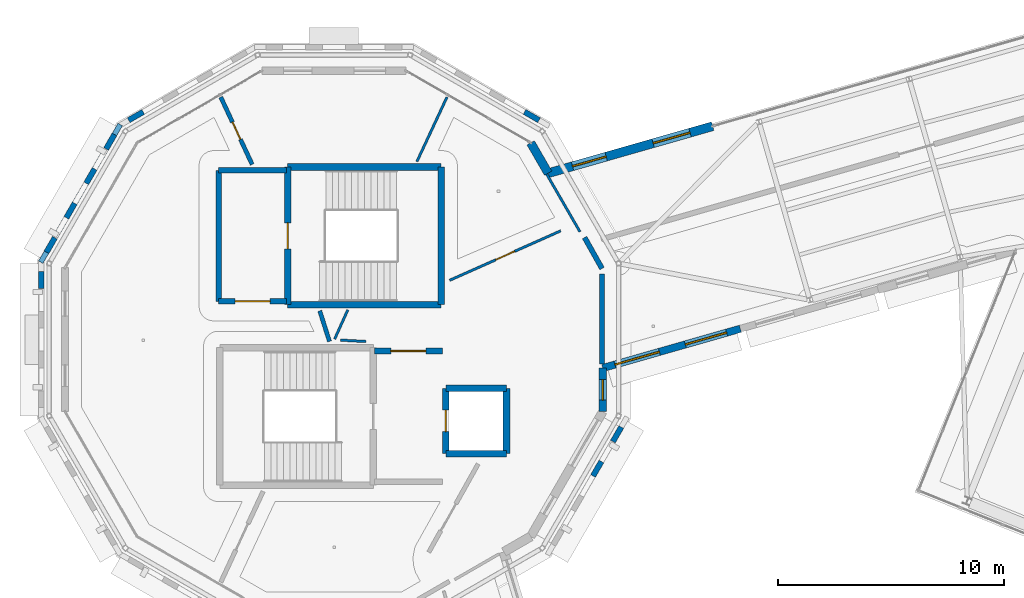
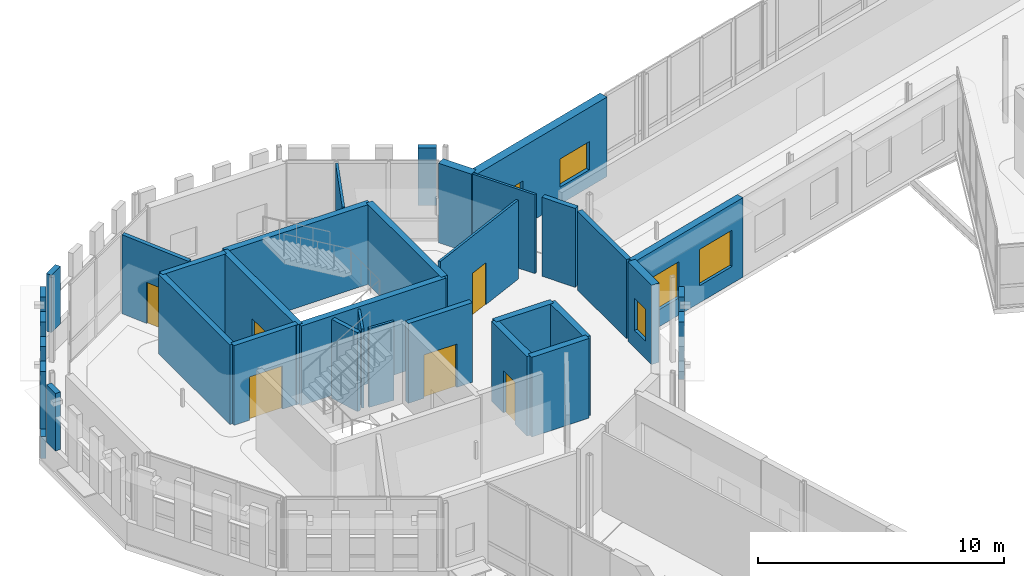
# One storey, part 93 of 125: 35 walls, 6 doors, 5 windows, 11 openings.
"""IFC4 building model written with IfcOpenShell, lengths in metres."""

from ifc_helpers import new_model, si_unit, direction, frame, frame_2d, origin, place, context, subcontext, project, spatial, rectangle, extrude, material, layer, layer_set, type_object, element, fill, save


model = new_model("IFC4")

# Units and contexts
model_context = context("Model", 3, precision=1e-05, world=origin(), true_north=direction((0.0, 1.0)))
body_context = subcontext(model_context, "Body", "Model", "MODEL_VIEW")
ifc_project = project(units=[si_unit("LENGTHUNIT", "METRE"), si_unit("AREAUNIT", "SQUARE_METRE"), si_unit("VOLUMEUNIT", "CUBIC_METRE"), si_unit("PLANEANGLEUNIT", "RADIAN"), si_unit("MASSUNIT", "GRAM", prefix="KILO")], contexts=[model_context])

# Site, building, storey
site_placement = place(None, origin())
site = spatial("IfcSite", under=ifc_project, at=site_placement, CompositionType="ELEMENT")
building_placement = place(site_placement, origin())
building = spatial("IfcBuilding", under=site, at=building_placement, Name="Wrenclough Park School", CompositionType="ELEMENT")
storey_placement = place(building_placement, frame((0.0, 0.0, 4.199951171875)))
storey = spatial("IfcBuildingStorey", under=building, at=storey_placement, Name="L01", CompositionType="ELEMENT", Elevation=4.199951171875)

# Walls
ifc_material_1 = material(Name="Perforated open-bond Staffordshire and Manchester brick screen pier", Category="masonry")
ifc_layer_1 = layer(ifc_material_1, 0.2451171875)
ifc_layer_set_1 = layer_set([ifc_layer_1], Name="Perforated open-bond Staffordshire and Manchester brick screen pier")
wall_type_1 = type_object("IfcWallType", Name="ENV-BS-PR245", PredefinedType="ELEMENTEDWALL", material=ifc_layer_set_1)
for number, where, z_axis, x_axis, name in (
    (1, (25.584716796875, 99.216064453125, 1.090087890625), (0.0, 0.0, 1.0), (-0.866141586746, 0.499798711192, 0.0), "D3 L01 perforated brick screen pier 0277"),
    (2, (8.055419921875, 99.58544921875, 1.090087890625), (0.0, 0.0, 1.0), (-0.866141586746, -0.499798711192, 0.0), "D3 L01 perforated brick screen pier 0288"),
    (3, (6.783935546875, 98.584716796875, 1.090087890625), (0.0, 0.0, 1.0), (-0.499798711192, -0.866141586746, 0.0), "D3 L01 perforated brick screen pier 0289"),
    (4, (5.904052734375, 97.060302734375, 1.090087890625), (0.0, 0.0, 1.0), (-0.500189527592, -0.865915952323, 0.0), "D3 L01 perforated brick screen pier 0290"),
):
    element("IfcWall", number, at=place(storey_placement, frame(where, z_axis=z_axis, x_axis=x_axis)), inside=storey, type_object=wall_type_1, Name=name, PredefinedType="ELEMENTEDWALL", context=body_context, shape_type="SweptSolid", body=[
        extrude(rectangle(XDim=0.739013671875, YDim=0.2451171875, at=frame_2d((0.36962890625, 0.0))), origin(), (0.0, 0.0, 1.0), 2.849853515625),
    ])
wall_1_placement = place(storey_placement, frame((5.02392578125, 95.5361328125, 1.090087890625), z_axis=(0.0, 0.0, 1.0), x_axis=(-0.499941746681, -0.866059033742, 0.0)))
element("IfcWall", 5, at=wall_1_placement, inside=storey, type_object=wall_type_1, Name="D3 L01 perforated brick screen pier 0291", PredefinedType="ELEMENTEDWALL", context=body_context, shape_type="SweptSolid", body=[
    extrude(rectangle(XDim=0.73876953125, YDim=0.2451171875, at=frame_2d((0.369384765625, 0.0))), origin(), (0.0, 0.0, 1.0), 2.849853515625),
])
for number, where, z_axis, x_axis, name in (
    (6, (4.14404296875, 94.011962890625, 1.090087890625), (0.0, 0.0, 1.0), (-0.500189527592, -0.865915952323, 0.0), "D3 L01 perforated brick screen pier 0292"),
    (7, (3.54345703125, 92.509521484375, 1.090087890625), (0.0, 0.0, 1.0), (0.0, -1.0, 0.0), "D3 L01 perforated brick screen pier 0293"),
):
    element("IfcWall", number, at=place(storey_placement, frame(where, z_axis=z_axis, x_axis=x_axis)), inside=storey, type_object=wall_type_1, Name=name, PredefinedType="ELEMENTEDWALL", context=body_context, shape_type="SweptSolid", body=[
        extrude(rectangle(XDim=0.739013671875, YDim=0.2451171875, at=frame_2d((0.36962890625, 0.0))), origin(), (0.0, 0.0, 1.0), 2.849853515625),
    ])
wall_2_placement = place(storey_placement, frame((27.97607421875, 83.4638671875, 1.090087890625), z_axis=(0.0, 0.0, 1.0), x_axis=(0.499941746681, 0.866059033742, 0.0)))
element("IfcWall", 8, at=wall_2_placement, inside=storey, type_object=wall_type_1, Name="D3 L01 perforated brick screen pier 0307", PredefinedType="ELEMENTEDWALL", context=body_context, shape_type="SweptSolid", body=[
    extrude(rectangle(XDim=0.73876953125, YDim=0.2451171875, at=frame_2d((0.369384765625, 0.0))), origin(), (0.0, 0.0, 1.0), 2.849853515625),
])
wall_3_placement = place(storey_placement, frame((28.85595703125, 84.988037109375, 1.090087890625), z_axis=(0.0, 0.0, 1.0), x_axis=(0.500189527592, 0.865915952323, 0.0)))
element("IfcWall", 9, at=wall_3_placement, inside=storey, type_object=wall_type_1, Name="D3 L01 perforated brick screen pier 0308", PredefinedType="ELEMENTEDWALL", context=body_context, shape_type="SweptSolid", body=[
    extrude(rectangle(XDim=0.739013671875, YDim=0.2451171875, at=frame_2d((0.36962890625, 0.0))), origin(), (0.0, 0.0, 1.0), 2.849853515625),
])
ifc_material_2 = material(Name="Open-bond Manchester multi-stock brick spandrel screen", Category="masonry")
ifc_layer_2 = layer(ifc_material_2, 0.22509765625)
ifc_layer_set_2 = layer_set([ifc_layer_2], Name="Open-bond Manchester multi-stock brick spandrel screen")
wall_type_2 = type_object("IfcWallType", Name="ENV-BS-SP225", PredefinedType="ELEMENTEDWALL", material=ifc_layer_set_2)
wall_4_placement = place(storey_placement, frame((7.039306640625, 99.026611328125, 0.0), z_axis=(0.0, 0.0, 1.0), x_axis=(-0.500010639957, -0.866019260715, 0.0)))
element("IfcWall", 10, at=wall_4_placement, inside=storey, type_object=wall_type_2, Name="D3 L01 open-bond brick screen spandrel 0078", PredefinedType="ELEMENTEDWALL", context=body_context, shape_type="SweptSolid", body=[
    extrude(rectangle(XDim=7.039794921875, YDim=0.22509765625, at=frame_2d((3.52001953125, 0.0))), origin(), (0.0, 0.0, 1.0), 1.090087890625),
])

# Wall, openings, windows
ifc_material_3 = material(Name="Manchester multi-stock brick and Concrete C32/40 inner leaf", Category="masonry")
ifc_layer_3 = layer(ifc_material_3, 0.324951171875)
ifc_layer_set_3 = layer_set([ifc_layer_3], Name="Manchester multi-stock brick and Concrete C32/40 inner leaf")
wall_type_3 = type_object("IfcWallType", Name="ENV-EW-325", PredefinedType="SOLIDWALL", material=ifc_layer_set_3)
wall_5_placement = place(storey_placement, frame((34.50048828125, 89.983642578125, 0.0), z_axis=(0.0, 0.0, 1.0), x_axis=(-0.96152976126, -0.274700779415, 0.0)))
wall_5 = element("IfcWall", 11, at=wall_5_placement, inside=storey, type_object=wall_type_3, Name="L01 insulated brick external wall 0129", PredefinedType="SOLIDWALL", context=body_context, shape_type="SweptSolid", body=[
    extrude(rectangle(XDim=6.338623046875, YDim=0.324951171875, at=frame_2d((3.16943359375, 0.0))), origin(), (0.0, 0.0, 1.0), 3.93994140625),
])
opening_1_placement = place(wall_5_placement, frame((0.634521484375, 0.0, 0.85009765625)))
opening_1 = element("IfcOpeningElement", 12, at=opening_1_placement, cuts=wall_5, Name="Opening WN-31", PredefinedType="OPENING", context=body_context, shape_type="SweptSolid", body=[
    extrude(rectangle(XDim=1.89990234375, YDim=1.800048828125, at=frame_2d((0.949951171875, 0.89990234375))), frame((0.0, 0.17236328125, 0.0), z_axis=(0.0, -1.0, 0.0), x_axis=(1.0, 0.0, 0.0)), (0.0, 0.0, 1.0), 0.344970703125),
])
opening_2_placement = place(wall_5_placement, frame((3.72900390625, 0.0, 0.85009765625)))
opening_2 = element("IfcOpeningElement", 13, at=opening_2_placement, cuts=wall_5, Name="Opening WN-32", PredefinedType="OPENING", context=body_context, shape_type="SweptSolid", body=[
    extrude(rectangle(XDim=2.050048828125, YDim=1.800048828125, at=frame_2d((1.02490234375, 0.89990234375))), frame((0.0, 0.17236328125, 0.0), z_axis=(0.0, -1.0, 0.0), x_axis=(1.0, 0.0, 0.0)), (0.0, 0.0, 1.0), 0.344970703125),
])
ifc_material_4 = material(Name="Thermally broken aluminium and double-glazed low-e glass", Category="aluminium")
window_type_1 = type_object("IfcWindowType", Name="ENV-WN-31", PartitioningType="DOUBLE_PANEL_VERTICAL", PredefinedType="WINDOW", material=ifc_material_4)
window_1_placement = place(opening_1_placement, origin())
window_1 = element("IfcWindow", 14, at=window_1_placement, inside=storey, type_object=window_type_1, Name="L01 scheduled facade window 0198", OverallHeight=1.800048828125, OverallWidth=1.89990234375, PartitioningType="SINGLE_PANEL", PredefinedType="WINDOW", context=body_context, shape_type="SweptSolid", body=[
    extrude(rectangle(XDim=1.89990234375, YDim=1.800048828125, at=frame_2d((0.949951171875, 0.89990234375))), frame((0.0, 0.030029296875, 0.0), z_axis=(0.0, -1.0, 0.0), x_axis=(1.0, 0.0, 0.0)), (0.0, 0.0, 1.0), 0.06005859375),
])
fill(opening_1, window_1)
window_type_2 = type_object("IfcWindowType", Name="ENV-WN-32", PartitioningType="DOUBLE_PANEL_VERTICAL", PredefinedType="WINDOW", material=ifc_material_4)
window_2_placement = place(opening_2_placement, origin())
window_2 = element("IfcWindow", 15, at=window_2_placement, inside=storey, type_object=window_type_2, Name="L01 scheduled facade window 0199", OverallHeight=1.800048828125, OverallWidth=2.050048828125, PartitioningType="SINGLE_PANEL", PredefinedType="WINDOW", context=body_context, shape_type="SweptSolid", body=[
    extrude(rectangle(XDim=2.050048828125, YDim=1.800048828125, at=frame_2d((1.02490234375, 0.89990234375))), frame((0.0, 0.030029296875, 0.0), z_axis=(0.0, -1.0, 0.0), x_axis=(1.0, 0.0, 0.0)), (0.0, 0.0, 1.0), 0.06005859375),
])
fill(opening_2, window_2)

# Wall, opening, window
ifc_material_5 = material(Name="Staffordshire blue-grey brick and Concrete C35/45 inner leaf", Category="masonry")
ifc_layer_4 = layer(ifc_material_5, 0.35009765625)
ifc_layer_set_4 = layer_set([ifc_layer_4], Name="Staffordshire blue-grey brick and Concrete C35/45 inner leaf")
wall_type_4 = type_object("IfcWallType", Name="ENV-EW-350", PredefinedType="SOLIDWALL", material=ifc_layer_set_4)
wall_6_placement = place(storey_placement, frame((28.40576171875, 88.242431640625, 0.0), z_axis=(0.0, 0.0, 1.0), x_axis=(0.0, -1.0, 0.0)))
wall_6 = element("IfcWall", 16, at=wall_6_placement, inside=storey, type_object=wall_type_4, Name="L01 insulated brick external wall 0130", PredefinedType="SOLIDWALL", context=body_context, shape_type="SweptSolid", body=[
    extrude(rectangle(XDim=1.9326171875, YDim=0.35009765625, at=frame_2d((0.96630859375, 0.0))), origin(), (0.0, 0.0, 1.0), 3.93994140625),
])
opening_3_placement = place(wall_6_placement, frame((0.516357421875, 0.0, 0.85009765625)))
opening_3 = element("IfcOpeningElement", 17, at=opening_3_placement, cuts=wall_6, Name="Opening WN-13", PredefinedType="OPENING", context=body_context, shape_type="SweptSolid", body=[
    extrude(rectangle(XDim=0.89990234375, YDim=1.60009765625, at=frame_2d((0.449951171875, 0.800048828125))), frame((0.0, 0.18505859375, 0.0), z_axis=(0.0, -1.0, 0.0), x_axis=(1.0, 0.0, 0.0)), (0.0, 0.0, 1.0), 0.3701171875),
])
window_type_3 = type_object("IfcWindowType", Name="ENV-WN-13", PartitioningType="SINGLE_PANEL", PredefinedType="WINDOW", material=ifc_material_4)
window_3_placement = place(opening_3_placement, origin())
window_3 = element("IfcWindow", 18, at=window_3_placement, inside=storey, type_object=window_type_3, Name="L01 scheduled facade window 0200", OverallHeight=1.60009765625, OverallWidth=0.89990234375, PartitioningType="SINGLE_PANEL", PredefinedType="WINDOW", context=body_context, shape_type="SweptSolid", body=[
    extrude(rectangle(XDim=0.89990234375, YDim=1.60009765625, at=frame_2d((0.449951171875, 0.800048828125))), frame((0.0, 0.030029296875, 0.0), z_axis=(0.0, -1.0, 0.0), x_axis=(1.0, 0.0, 0.0)), (0.0, 0.0, 1.0), 0.06005859375),
])
fill(opening_3, window_3)

# Wall
ifc_material_6 = material(Name="Manchester multi-stock brick and Concrete C35/45 inner leaf", Category="masonry")
ifc_layer_5 = layer(ifc_material_6, 0.3798828125)
ifc_layer_set_5 = layer_set([ifc_layer_5], Name="Manchester multi-stock brick and Concrete C35/45 inner leaf")
wall_type_5 = type_object("IfcWallType", Name="ENV-EW-380", PredefinedType="SOLIDWALL", material=ifc_layer_set_5)
wall_7_placement = place(storey_placement, frame((25.2158203125, 98.2158203125, 0.0), z_axis=(0.0, 0.0, 1.0), x_axis=(0.499758756264, -0.866164641127, 0.0)))
element("IfcWall", 19, at=wall_7_placement, inside=storey, type_object=wall_type_5, Name="L01 insulated brick external wall 0083", PredefinedType="SOLIDWALL", context=body_context, shape_type="SweptSolid", body=[
    extrude(rectangle(XDim=1.552490234375, YDim=0.3798828125, at=frame_2d((0.7763671875, 0.0))), origin(), (0.0, 0.0, 1.0), 3.93994140625),
])

# Wall, openings, windows
ifc_material_7 = material(Name="Staffordshire blue-grey brick and Concrete C40/50 acoustic leaf", Category="masonry")
ifc_layer_6 = layer(ifc_material_7, 0.39990234375)
ifc_layer_set_6 = layer_set([ifc_layer_6], Name="Staffordshire blue-grey brick and Concrete C40/50 acoustic leaf")
wall_type_6 = type_object("IfcWallType", Name="ENV-EW-400", PredefinedType="SOLIDWALL", material=ifc_layer_set_6)
wall_8_placement = place(storey_placement, frame((25.99169921875, 96.87109375, 0.0), z_axis=(0.0, 0.0, 1.0), x_axis=(0.961523947641, 0.274721127897, 0.0)))
wall_8 = element("IfcWall", 20, at=wall_8_placement, inside=storey, type_object=wall_type_6, Name="L01 insulated brick external wall 0084", PredefinedType="SOLIDWALL", context=body_context, shape_type="SweptSolid", body=[
    extrude(rectangle(XDim=7.5751953125, YDim=0.39990234375, at=frame_2d((3.78759765625, 0.0))), origin(), (0.0, 0.0, 1.0), 3.93994140625),
])
opening_4_placement = place(wall_8_placement, frame((1.118896484375, 0.0, 0.85009765625)))
opening_4 = element("IfcOpeningElement", 21, at=opening_4_placement, cuts=wall_8, Name="Opening WN-06", PredefinedType="OPENING", context=body_context, shape_type="SweptSolid", body=[
    extrude(rectangle(XDim=1.550048828125, YDim=1.39990234375, at=frame_2d((0.77490234375, 0.699951171875))), frame((0.0, 0.2099609375, 0.0), z_axis=(0.0, -1.0, 0.0), x_axis=(1.0, 0.0, 0.0)), (0.0, 0.0, 1.0), 0.419921875),
])
opening_5_placement = place(wall_8_placement, frame((4.831298828125, 0.0, 0.85009765625)))
opening_5 = element("IfcOpeningElement", 22, at=opening_5_placement, cuts=wall_8, Name="Opening WN-07", PredefinedType="OPENING", context=body_context, shape_type="SweptSolid", body=[
    extrude(rectangle(XDim=1.699951171875, YDim=1.39990234375, at=frame_2d((0.85009765625, 0.699951171875))), frame((0.0, 0.2099609375, 0.0), z_axis=(0.0, -1.0, 0.0), x_axis=(1.0, 0.0, 0.0)), (0.0, 0.0, 1.0), 0.419921875),
])
window_type_4 = type_object("IfcWindowType", Name="ENV-WN-06", PartitioningType="DOUBLE_PANEL_VERTICAL", PredefinedType="WINDOW", material=ifc_material_4)
window_4_placement = place(opening_4_placement, origin())
window_4 = element("IfcWindow", 23, at=window_4_placement, inside=storey, type_object=window_type_4, Name="L01 scheduled facade window 0117", OverallHeight=1.39990234375, OverallWidth=1.550048828125, PartitioningType="SINGLE_PANEL", PredefinedType="WINDOW", context=body_context, shape_type="SweptSolid", body=[
    extrude(rectangle(XDim=1.550048828125, YDim=1.39990234375, at=frame_2d((0.77490234375, 0.699951171875))), frame((0.0, 0.030029296875, 0.0), z_axis=(0.0, -1.0, 0.0), x_axis=(1.0, 0.0, 0.0)), (0.0, 0.0, 1.0), 0.06005859375),
])
fill(opening_4, window_4)
window_type_5 = type_object("IfcWindowType", Name="ENV-WN-07", PartitioningType="DOUBLE_PANEL_VERTICAL", PredefinedType="WINDOW", material=ifc_material_4)
window_5_placement = place(opening_5_placement, origin())
window_5 = element("IfcWindow", 24, at=window_5_placement, inside=storey, type_object=window_type_5, Name="L01 scheduled facade window 0118", OverallHeight=1.39990234375, OverallWidth=1.699951171875, PartitioningType="SINGLE_PANEL", PredefinedType="WINDOW", context=body_context, shape_type="SweptSolid", body=[
    extrude(rectangle(XDim=1.699951171875, YDim=1.39990234375, at=frame_2d((0.85009765625, 0.699951171875))), frame((0.0, 0.030029296875, 0.0), z_axis=(0.0, -1.0, 0.0), x_axis=(1.0, 0.0, 0.0)), (0.0, 0.0, 1.0), 0.06005859375),
])
fill(opening_5, window_5)

# Wall, opening, door
ifc_material_8 = material(Name="Concrete C35/45", Category="concrete")
ifc_layer_7 = layer(ifc_material_8, 0.25)
ifc_layer_set_7 = layer_set([ifc_layer_7], Name="Concrete C35/45")
wall_type_7 = type_object("IfcWallType", Name="INT-CW-250", PredefinedType="SHEAR", material=ifc_layer_set_7)
wall_9_placement = place(storey_placement, frame((21.300048828125, 89.0, 0.0), z_axis=(0.0, 0.0, 1.0), x_axis=(-1.0, 0.0, 0.0)))
wall_9 = element("IfcWall", 25, at=wall_9_placement, inside=storey, type_object=wall_type_7, Name="Core C3 L01 lobby fire wall north", PredefinedType="SHEAR", context=body_context, shape_type="SweptSolid", body=[
    extrude(rectangle(XDim=3.0, YDim=0.25, at=frame_2d((1.5, 0.0))), origin(), (0.0, 0.0, 1.0), 3.949951171875),
])
opening_6_placement = place(wall_9_placement, frame((0.72509765625, 0.0, 0.0)))
opening_6 = element("IfcOpeningElement", 26, at=opening_6_placement, cuts=wall_9, Name="Opening DLB-C3-L01", PredefinedType="OPENING", context=body_context, shape_type="SweptSolid", body=[
    extrude(rectangle(XDim=1.550048828125, YDim=2.14990234375, at=frame_2d((0.77490234375, 1.074951171875))), frame((0.0, 0.135009765625, 0.0), z_axis=(0.0, -1.0, 0.0), x_axis=(1.0, 0.0, 0.0)), (0.0, 0.0, 1.0), 0.27001953125),
])
ifc_material_9 = material(Name="Protected stair lobby double fire door assembly", Category="wood")
door_type_1 = type_object("IfcDoorType", Name="INT-DR-LB155", OperationType="NOTDEFINED", PredefinedType="DOOR", material=ifc_material_9)
door_1_placement = place(opening_6_placement, origin())
door_1 = element("IfcDoor", 27, at=door_1_placement, inside=storey, type_object=door_type_1, Name="Core C3 L01 protected lobby fire door", OperationType="DOUBLE_DOOR_SINGLE_SWING", OverallHeight=2.14990234375, OverallWidth=1.550048828125, PredefinedType="DOOR", context=body_context, shape_type="SweptSolid", body=[
    extrude(rectangle(XDim=1.550048828125, YDim=2.14990234375, at=frame_2d((0.77490234375, 1.074951171875))), frame((0.0, 0.02490234375, 0.0), z_axis=(0.0, -1.0, 0.0), x_axis=(1.0, 0.0, 0.0)), (0.0, 0.0, 1.0), 0.050048828125),
])
fill(opening_6, door_1)

wall_10_placement = place(storey_placement, frame((11.39990234375, 91.199951171875, 0.0), z_axis=(0.0, 0.0, 1.0), x_axis=(1.0, 0.0, 0.0)))
wall_10 = element("IfcWall", 28, at=wall_10_placement, inside=storey, type_object=wall_type_7, Name="Core C3B L01 lobby fire wall south", PredefinedType="SHEAR", context=body_context, shape_type="SweptSolid", body=[
    extrude(rectangle(XDim=3.0, YDim=0.25, at=frame_2d((1.5, 0.0))), origin(), (0.0, 0.0, 1.0), 3.949951171875),
])
opening_7_placement = place(wall_10_placement, frame((0.72509765625, 0.0, 0.0)))
opening_7 = element("IfcOpeningElement", 29, at=opening_7_placement, cuts=wall_10, Name="Opening DLB-C3B-L01", PredefinedType="OPENING", context=body_context, shape_type="SweptSolid", body=[
    extrude(rectangle(XDim=1.550048828125, YDim=2.14990234375, at=frame_2d((0.77490234375, 1.074951171875))), frame((0.0, 0.135009765625, 0.0), z_axis=(0.0, -1.0, 0.0), x_axis=(1.0, 0.0, 0.0)), (0.0, 0.0, 1.0), 0.27001953125),
])
door_2_placement = place(opening_7_placement, origin())
door_2 = element("IfcDoor", 30, at=door_2_placement, inside=storey, type_object=door_type_1, Name="Core C3B L01 protected lobby fire door", OperationType="DOUBLE_DOOR_SINGLE_SWING", OverallHeight=2.14990234375, OverallWidth=1.550048828125, PredefinedType="DOOR", context=body_context, shape_type="SweptSolid", body=[
    extrude(rectangle(XDim=1.550048828125, YDim=2.14990234375, at=frame_2d((0.77490234375, 1.074951171875))), frame((0.0, 0.02490234375, 0.0), z_axis=(0.0, -1.0, 0.0), x_axis=(1.0, 0.0, 0.0)), (0.0, 0.0, 1.0), 0.050048828125),
])
fill(opening_7, door_2)

# Walls
wall_11_placement = place(storey_placement, frame((14.39990234375, 97.0, 0.0), z_axis=(0.0, 0.0, 1.0), x_axis=(-1.0, 0.0, 0.0)))
element("IfcWall", 31, at=wall_11_placement, inside=storey, type_object=wall_type_7, Name="Core C3B L01 lobby fire wall north", PredefinedType="SHEAR", context=body_context, shape_type="SweptSolid", body=[
    extrude(rectangle(XDim=3.0, YDim=0.25, at=frame_2d((1.5, 0.0))), origin(), (0.0, 0.0, 1.0), 3.949951171875),
])
wall_12_placement = place(storey_placement, frame((11.39990234375, 97.0, 0.0), z_axis=(0.0, 0.0, 1.0), x_axis=(0.0, -1.0, 0.0)))
element("IfcWall", 32, at=wall_12_placement, inside=storey, type_object=wall_type_7, Name="Core C3B L01 lobby fire wall west", PredefinedType="SHEAR", context=body_context, shape_type="SweptSolid", body=[
    extrude(rectangle(XDim=5.800048828125, YDim=0.25, at=frame_2d((2.89990234375, 0.0))), origin(), (0.0, 0.0, 1.0), 3.949951171875),
])
ifc_material_10 = material(Name="Concrete C40/50", Category="concrete")
ifc_layer_8 = layer(ifc_material_10, 0.2900390625)
ifc_layer_set_8 = layer_set([ifc_layer_8], Name="Concrete C40/50")
wall_type_8 = type_object("IfcWallType", Name="INT-CW-290", PredefinedType="SHEAR", material=ifc_layer_set_8)
wall_13_placement = place(storey_placement, frame((21.455078125, 84.455078125, 0.0), z_axis=(0.0, 0.0, 1.0), x_axis=(1.0, 0.0, 0.0)))
element("IfcWall", 33, at=wall_13_placement, inside=storey, type_object=wall_type_8, Name="Lift LFT-05 L01 south shaft wall", PredefinedType="SHEAR", context=body_context, shape_type="SweptSolid", body=[
    extrude(rectangle(XDim=2.68994140625, YDim=0.2900390625, at=frame_2d((1.344970703125, 0.0))), origin(), (0.0, 0.0, 1.0), 3.949951171875),
])
wall_14_placement = place(storey_placement, frame((24.14501953125, 84.455078125, 0.0), z_axis=(0.0, 0.0, 1.0), x_axis=(0.0, 1.0, 0.0)))
element("IfcWall", 34, at=wall_14_placement, inside=storey, type_object=wall_type_8, Name="Lift LFT-05 L01 east shaft wall", PredefinedType="SHEAR", context=body_context, shape_type="SweptSolid", body=[
    extrude(rectangle(XDim=2.889892578125, YDim=0.2900390625, at=frame_2d((1.44482421875, 0.0))), origin(), (0.0, 0.0, 1.0), 3.949951171875),
])
wall_15_placement = place(storey_placement, frame((24.14501953125, 87.344970703125, 0.0), z_axis=(0.0, 0.0, 1.0), x_axis=(-1.0, 0.0, 0.0)))
element("IfcWall", 35, at=wall_15_placement, inside=storey, type_object=wall_type_8, Name="Lift LFT-05 L01 north shaft wall", PredefinedType="SHEAR", context=body_context, shape_type="SweptSolid", body=[
    extrude(rectangle(XDim=2.68994140625, YDim=0.2900390625, at=frame_2d((1.344970703125, 0.0))), origin(), (0.0, 0.0, 1.0), 3.949951171875),
])

# Wall, opening, door
wall_16_placement = place(storey_placement, frame((21.455078125, 87.344970703125, 0.0), z_axis=(0.0, 0.0, 1.0), x_axis=(0.0, -1.0, 0.0)))
wall_16 = element("IfcWall", 36, at=wall_16_placement, inside=storey, type_object=wall_type_8, Name="Lift LFT-05 L01 west shaft wall", PredefinedType="SHEAR", context=body_context, shape_type="SweptSolid", body=[
    extrude(rectangle(XDim=2.889892578125, YDim=0.2900390625, at=frame_2d((1.44482421875, 0.0))), origin(), (0.0, 0.0, 1.0), 3.949951171875),
])
opening_8_placement = place(wall_16_placement, frame((0.969970703125, 0.0, 0.0)))
opening_8 = element("IfcOpeningElement", 37, at=opening_8_placement, cuts=wall_16, Name="Opening LD-05-L01", PredefinedType="OPENING", context=body_context, shape_type="SweptSolid", body=[
    extrude(rectangle(XDim=0.949951171875, YDim=2.10009765625, at=frame_2d((0.47509765625, 1.050048828125))), frame((0.0, 0.155029296875, 0.0), z_axis=(0.0, -1.0, 0.0), x_axis=(1.0, 0.0, 0.0)), (0.0, 0.0, 1.0), 0.31005859375),
])
ifc_material_11 = material(Name="Brushed stainless steel", Category="steel")
door_type_2 = type_object("IfcDoorType", Name="INT-DR-LD095", OperationType="NOTDEFINED", PredefinedType="DOOR", material=ifc_material_11)
door_3_placement = place(opening_8_placement, frame((0.949951171875, 0.0, 0.0), z_axis=(0.0, 0.0, 1.0), x_axis=(-1.0, 0.0, 0.0)))
door_3 = element("IfcDoor", 38, at=door_3_placement, inside=storey, type_object=door_type_2, Name="Lift LFT-05 L01 sliding landing door", OperationType="SLIDING_TO_LEFT", OverallHeight=2.10009765625, OverallWidth=0.949951171875, PredefinedType="DOOR", context=body_context, shape_type="SweptSolid", body=[
    extrude(rectangle(XDim=0.949951171875, YDim=2.10009765625, at=frame_2d((0.47509765625, 1.050048828125))), frame((0.0, 0.02490234375, 0.0), z_axis=(0.0, -1.0, 0.0), x_axis=(1.0, 0.0, 0.0)), (0.0, 0.0, 1.0), 0.050048828125),
])
fill(opening_8, door_3)

# Walls
wall_17_placement = place(storey_placement, frame((14.455078125, 91.054931640625, 0.0), z_axis=(0.0, 0.0, 1.0), x_axis=(1.0, 0.0, 0.0)))
element("IfcWall", 39, at=wall_17_placement, inside=storey, type_object=wall_type_8, Name="Core C3B L01 south shear wall", PredefinedType="SHEAR", context=body_context, shape_type="SweptSolid", body=[
    extrude(rectangle(XDim=6.7900390625, YDim=0.2900390625, at=frame_2d((3.39501953125, 0.0))), origin(), (0.0, 0.0, 1.0), 3.949951171875),
])
wall_18_placement = place(storey_placement, frame((21.2451171875, 91.054931640625, 0.0), z_axis=(0.0, 0.0, 1.0), x_axis=(0.0, 1.0, 0.0)))
element("IfcWall", 40, at=wall_18_placement, inside=storey, type_object=wall_type_8, Name="Core C3B L01 east shear wall", PredefinedType="SHEAR", context=body_context, shape_type="SweptSolid", body=[
    extrude(rectangle(XDim=6.090087890625, YDim=0.2900390625, at=frame_2d((3.044921875, 0.0))), origin(), (0.0, 0.0, 1.0), 3.949951171875),
])
wall_19_placement = place(storey_placement, frame((21.2451171875, 97.14501953125, 0.0), z_axis=(0.0, 0.0, 1.0), x_axis=(-1.0, 0.0, 0.0)))
element("IfcWall", 41, at=wall_19_placement, inside=storey, type_object=wall_type_8, Name="Core C3B L01 north shear wall", PredefinedType="SHEAR", context=body_context, shape_type="SweptSolid", body=[
    extrude(rectangle(XDim=6.7900390625, YDim=0.2900390625, at=frame_2d((3.39501953125, 0.0))), origin(), (0.0, 0.0, 1.0), 3.949951171875),
])

# Wall, opening, door
wall_20_placement = place(storey_placement, frame((14.455078125, 97.14501953125, 0.0), z_axis=(0.0, 0.0, 1.0), x_axis=(0.0, -1.0, 0.0)))
wall_20 = element("IfcWall", 42, at=wall_20_placement, inside=storey, type_object=wall_type_8, Name="Core C3B L01 west shear wall", PredefinedType="SHEAR", context=body_context, shape_type="SweptSolid", body=[
    extrude(rectangle(XDim=6.090087890625, YDim=0.2900390625, at=frame_2d((3.044921875, 0.0))), origin(), (0.0, 0.0, 1.0), 3.949951171875),
])
opening_9_placement = place(wall_20_placement, frame((2.469970703125, 0.0, 0.0)))
opening_9 = element("IfcOpeningElement", 43, at=opening_9_placement, cuts=wall_20, Name="Opening DST-C3B-L01", PredefinedType="OPENING", context=body_context, shape_type="SweptSolid", body=[
    extrude(rectangle(XDim=1.14990234375, YDim=2.10009765625, at=frame_2d((0.574951171875, 1.050048828125))), frame((0.0, 0.155029296875, 0.0), z_axis=(0.0, -1.0, 0.0), x_axis=(1.0, 0.0, 0.0)), (0.0, 0.0, 1.0), 0.31005859375),
])
ifc_material_12 = material(Name="Protected escape stair single fire door assembly", Category="wood")
door_type_3 = type_object("IfcDoorType", Name="INT-DR-ST115", OperationType="NOTDEFINED", PredefinedType="DOOR", material=ifc_material_12)
door_4_placement = place(opening_9_placement, origin())
door_4 = element("IfcDoor", 44, at=door_4_placement, inside=storey, type_object=door_type_3, Name="Stair ST-07 L01 fire door", OperationType="SINGLE_SWING_RIGHT", OverallHeight=2.10009765625, OverallWidth=1.14990234375, PredefinedType="DOOR", context=body_context, shape_type="SweptSolid", body=[
    extrude(rectangle(XDim=1.14990234375, YDim=2.10009765625, at=frame_2d((0.574951171875, 1.050048828125))), frame((0.0, 0.02490234375, 0.0), z_axis=(0.0, -1.0, 0.0), x_axis=(1.0, 0.0, 0.0)), (0.0, 0.0, 1.0), 0.050048828125),
])
fill(opening_9, door_4)

# Walls
ifc_material_13 = material(Name="Lightweight fire-rated store partition", Category="gypsum")
ifc_layer_9 = layer(ifc_material_13, 0.110107421875)
ifc_layer_set_9 = layer_set([ifc_layer_9], Name="Lightweight fire-rated store partition")
wall_type_9 = type_object("IfcWallType", Name="INT-PW-110", PredefinedType="PARTITIONING", material=ifc_layer_set_9)
wall_21_placement = place(storey_placement, frame((17.115478515625, 90.81494140625, 0.0), z_axis=(0.0, 0.0, 1.0), x_axis=(-0.411341379463, -0.911481359953, 0.0)))
element("IfcWall", 45, at=wall_21_placement, inside=storey, type_object=wall_type_9, Name="L01 internal partition 0244", PredefinedType="PARTITIONING", context=body_context, shape_type="SweptSolid", body=[
    extrude(rectangle(XDim=1.4130859375, YDim=0.110107421875, at=frame_2d((0.70654296875, 0.0))), origin(), (0.0, 0.0, 1.0), 3.9150390625),
])
wall_22_placement = place(storey_placement, frame((16.787109375, 89.47998046875, 0.0), z_axis=(0.0, 0.0, 1.0), x_axis=(0.998488626458, -0.054958737556, 0.0)))
element("IfcWall", 46, at=wall_22_placement, inside=storey, type_object=wall_type_9, Name="L01 internal partition 0245", PredefinedType="PARTITIONING", context=body_context, shape_type="SweptSolid", body=[
    extrude(rectangle(XDim=1.13720703125, YDim=0.110107421875, at=frame_2d((0.568603515625, 0.0))), origin(), (0.0, 0.0, 1.0), 3.9150390625),
])

# Wall, opening, door
wall_23_placement = place(storey_placement, frame((21.62939453125, 92.12841796875, 0.0), z_axis=(0.0, 0.0, 1.0), x_axis=(0.913450235748, 0.406950447613, 0.0)))
wall_23 = element("IfcWall", 47, at=wall_23_placement, inside=storey, type_object=wall_type_9, Name="L01 internal partition 0246", PredefinedType="PARTITIONING", context=body_context, shape_type="SweptSolid", body=[
    extrude(rectangle(XDim=5.383056640625, YDim=0.110107421875, at=frame_2d((2.69140625, 0.0))), origin(), (0.0, 0.0, 1.0), 3.9150390625),
])
opening_10_placement = place(wall_23_placement, frame((2.231689453125, 0.0, 0.0)))
opening_10 = element("IfcOpeningElement", 48, at=opening_10_placement, cuts=wall_23, Name="Opening DR-L01-041", PredefinedType="OPENING", context=body_context, shape_type="SweptSolid", body=[
    extrude(rectangle(XDim=0.919921875, YDim=2.080078125, at=frame_2d((0.4599609375, 1.0400390625))), frame((0.0, 0.06494140625, 0.0), z_axis=(0.0, -1.0, 0.0), x_axis=(1.0, 0.0, 0.0)), (0.0, 0.0, 1.0), 0.130126953125),
])
ifc_material_14 = material(Name="Acoustic classroom single leaf vision door assembly", Category="wood")
door_type_4 = type_object("IfcDoorType", Name="INT-DR-CL092", OperationType="NOTDEFINED", PredefinedType="DOOR", material=ifc_material_14)
door_5_placement = place(opening_10_placement, origin())
door_5 = element("IfcDoor", 49, at=door_5_placement, inside=storey, type_object=door_type_4, Name="CAD Design Classroom door DR-L01-041", OperationType="SINGLE_SWING_RIGHT", OverallHeight=2.080078125, OverallWidth=0.919921875, PredefinedType="DOOR", context=body_context, shape_type="SweptSolid", body=[
    extrude(rectangle(XDim=0.919921875, YDim=2.080078125, at=frame_2d((0.4599609375, 1.0400390625))), frame((0.0, 0.02490234375, 0.0), z_axis=(0.0, -1.0, 0.0), x_axis=(1.0, 0.0, 0.0)), (0.0, 0.0, 1.0), 0.050048828125),
])
fill(opening_10, door_5)

# Walls
wall_24_placement = place(storey_placement, frame((27.39599609375, 94.279052734375, 0.0), z_axis=(0.0, 0.0, 1.0), x_axis=(-0.499961494967, 0.866047633535, 0.0)))
element("IfcWall", 50, at=wall_24_placement, inside=storey, type_object=wall_type_9, Name="L01 internal partition 0247", PredefinedType="PARTITIONING", context=body_context, shape_type="SweptSolid", body=[
    extrude(rectangle(XDim=2.947021484375, YDim=0.110107421875, at=frame_2d((1.4736328125, 0.0))), origin(), (0.0, 0.0, 1.0), 3.9150390625),
])
wall_25_placement = place(storey_placement, frame((21.50830078125, 100.240478515625, 0.0), z_axis=(0.0, 0.0, 1.0), x_axis=(-0.422622439008, -0.906305839133, 0.0)))
element("IfcWall", 51, at=wall_25_placement, inside=storey, type_object=wall_type_9, Name="L01 internal partition 0248", PredefinedType="PARTITIONING", context=body_context, shape_type="SweptSolid", body=[
    extrude(rectangle(XDim=3.150634765625, YDim=0.110107421875, at=frame_2d((1.5751953125, 0.0))), origin(), (0.0, 0.0, 1.0), 3.9150390625),
])
ifc_material_15 = material(Name="Laboratory fire and acoustic partition", Category="gypsum")
ifc_layer_10 = layer(ifc_material_15, 0.18505859375)
ifc_layer_set_10 = layer_set([ifc_layer_10], Name="Laboratory fire and acoustic partition")
wall_type_10 = type_object("IfcWallType", Name="INT-PW-185", PredefinedType="PARTITIONING", material=ifc_layer_set_10)
wall_26_placement = place(storey_placement, frame((16.304931640625, 89.422607421875, 0.0), z_axis=(0.0, 0.0, 1.0), x_axis=(-0.302905959506, 0.953020450828, 0.0)))
element("IfcWall", 52, at=wall_26_placement, inside=storey, type_object=wall_type_10, Name="L01 internal partition 0238", PredefinedType="PARTITIONING", context=body_context, shape_type="SweptSolid", body=[
    extrude(rectangle(XDim=1.421875, YDim=0.18505859375, at=frame_2d((0.7109375, 0.0))), origin(), (0.0, 0.0, 1.0), 3.9150390625),
])

# Wall, opening, door
wall_27_placement = place(storey_placement, frame((12.882568359375, 97.257568359375, 0.0), z_axis=(0.0, 0.0, 1.0), x_axis=(-0.422597120879, 0.906317644882, 0.0)))
wall_27 = element("IfcWall", 53, at=wall_27_placement, inside=storey, type_object=wall_type_10, Name="L01 internal partition 0239", PredefinedType="PARTITIONING", context=body_context, shape_type="SweptSolid", body=[
    extrude(rectangle(XDim=3.291259765625, YDim=0.18505859375, at=frame_2d((1.6455078125, 0.0))), origin(), (0.0, 0.0, 1.0), 3.9150390625),
])
opening_11_placement = place(wall_27_placement, frame((1.2255859375, 0.0, 0.0)))
opening_11 = element("IfcOpeningElement", 54, at=opening_11_placement, cuts=wall_27, Name="Opening DR-L01-042", PredefinedType="OPENING", context=body_context, shape_type="SweptSolid", body=[
    extrude(rectangle(XDim=0.840087890625, YDim=2.0400390625, at=frame_2d((0.419921875, 1.02001953125))), frame((0.0, 0.1025390625, 0.0), z_axis=(0.0, -1.0, 0.0), x_axis=(1.0, 0.0, 0.0)), (0.0, 0.0, 1.0), 0.205078125),
])
ifc_material_16 = material(Name="Prep and store room fire door assembly", Category="wood")
door_type_5 = type_object("IfcDoorType", Name="INT-DR-STR084", OperationType="NOTDEFINED", PredefinedType="DOOR", material=ifc_material_16)
door_6_placement = place(opening_11_placement, frame((0.840087890625, 0.0, 0.0), z_axis=(0.0, 0.0, 1.0), x_axis=(-1.0, 0.0, 0.0)))
door_6 = element("IfcDoor", 55, at=door_6_placement, inside=storey, type_object=door_type_5, Name="Science Prep Room D3 First door DR-L01-042", OperationType="SINGLE_SWING_LEFT", OverallHeight=2.0400390625, OverallWidth=0.840087890625, PredefinedType="DOOR", context=body_context, shape_type="SweptSolid", body=[
    extrude(rectangle(XDim=0.840087890625, YDim=2.0400390625, at=frame_2d((0.419921875, 1.02001953125))), frame((0.0, 0.02490234375, 0.0), z_axis=(0.0, -1.0, 0.0), x_axis=(1.0, 0.0, 0.0)), (0.0, 0.0, 1.0), 0.050048828125),
])
fill(opening_11, door_6)

# Walls
ifc_material_17 = material(Name="Twin-frame acoustic gypsum board 60 dB Rw", Category="gypsum")
ifc_layer_11 = layer(ifc_material_17, 0.22509765625)
ifc_layer_set_11 = layer_set([ifc_layer_11], Name="Twin-frame acoustic gypsum board 60 dB Rw")
wall_type_11 = type_object("IfcWallType", Name="INT-PW-225", PredefinedType="PARTITIONING", material=ifc_layer_set_11)
wall_28_placement = place(storey_placement, frame((27.60205078125, 94.022216796875, 0.0), z_axis=(0.0, 0.0, 1.0), x_axis=(0.490504034142, -0.871438920688, 0.0)))
element("IfcWall", 56, at=wall_28_placement, inside=storey, type_object=wall_type_11, Name="L01 internal partition 0292", PredefinedType="PARTITIONING", context=body_context, shape_type="SweptSolid", body=[
    extrude(rectangle(XDim=1.575439453125, YDim=0.22509765625, at=frame_2d((0.78759765625, 0.0))), origin(), (0.0, 0.0, 1.0), 3.9150390625),
])
wall_29_placement = place(storey_placement, frame((28.374755859375, 92.399658203125, 0.0), z_axis=(0.0, 0.0, 1.0), x_axis=(0.000245926829, -0.99999996976, 0.0)))
element("IfcWall", 57, at=wall_29_placement, inside=storey, type_object=wall_type_11, Name="L01 internal partition 0293", PredefinedType="PARTITIONING", context=body_context, shape_type="SweptSolid", body=[
    extrude(rectangle(XDim=3.970947265625, YDim=0.22509765625, at=frame_2d((1.9853515625, 0.0))), origin(), (0.0, 0.0, 1.0), 3.9150390625),
])

save(model, "model.ifc")
